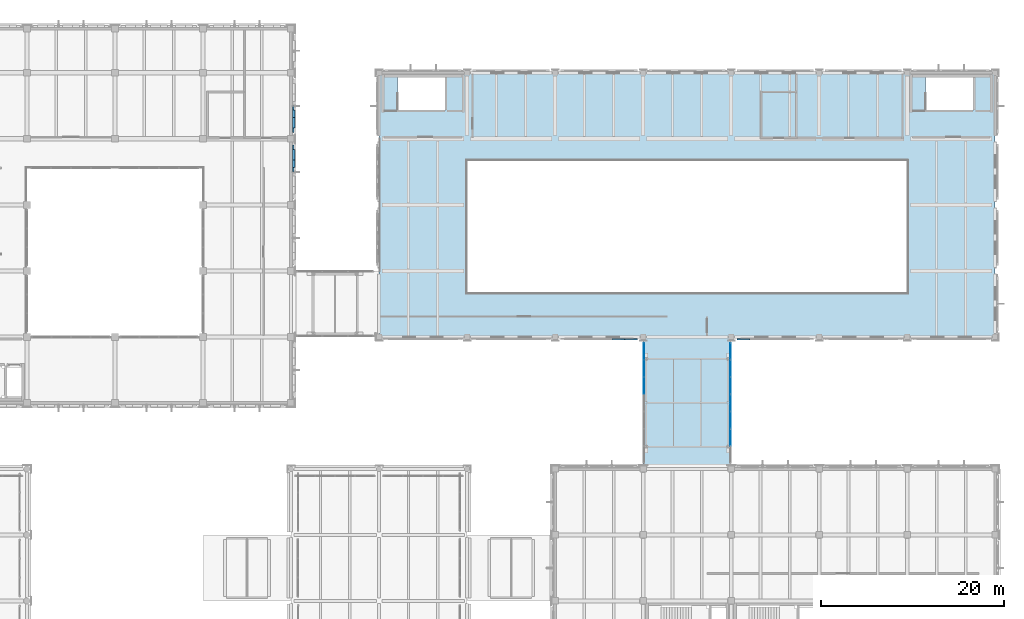
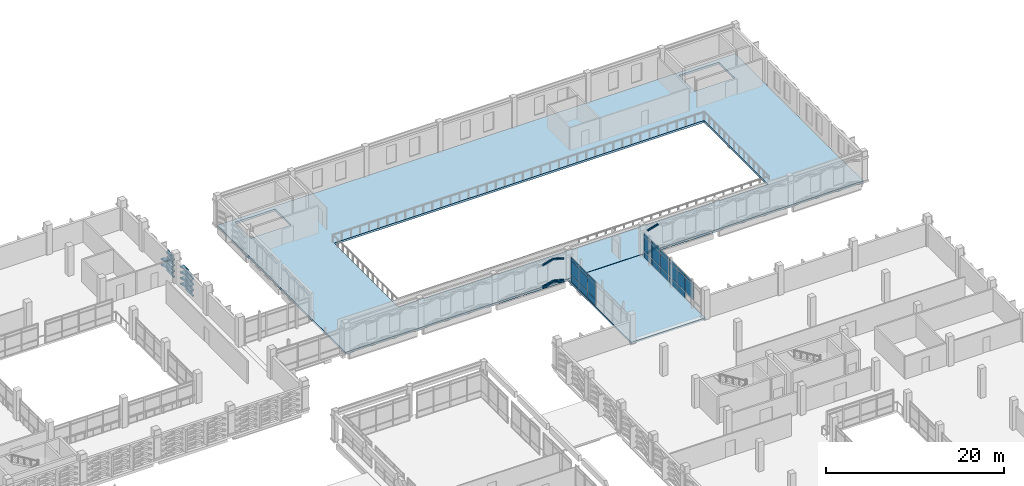
# One storey, part 141 of 180: 63 plates, 2 slabs, 2 elements without a shape of their own.
"""IFC4 building model written with IfcOpenShell, lengths in metres."""

from ifc_helpers import new_model, si_unit, direction, frame, origin, origin_2d, place, context, subcontext, project, spatial, polyline, rectangle, hollow_rectangle, outline, extrude, material, layer, layer_set, material_profile, profile_set, type_object, element, aggregate, save


model = new_model("IFC4")

# Units and contexts
model_context = context("Model", 3, precision=1e-05, world=origin(), true_north=direction((0.0, 1.0)))
body_context = subcontext(model_context, "Body", "Model", "MODEL_VIEW")
ifc_project = project(units=[si_unit("LENGTHUNIT", "METRE"), si_unit("AREAUNIT", "SQUARE_METRE"), si_unit("VOLUMEUNIT", "CUBIC_METRE"), si_unit("PLANEANGLEUNIT", "RADIAN"), si_unit("MASSUNIT", "GRAM", prefix="KILO")], contexts=[model_context])

# Site, building, storey
site_placement = place(None, origin())
site = spatial("IfcSite", under=ifc_project, at=site_placement, CompositionType="ELEMENT")
building_placement = place(site_placement, origin())
building = spatial("IfcBuilding", under=site, at=building_placement, Name="Asteropetra Specialist Clinic", CompositionType="ELEMENT")
storey_placement = place(building_placement, frame((0.0, 0.0, 4.419921875)))
storey = spatial("IfcBuildingStorey", under=building, at=storey_placement, Name="L01", CompositionType="ELEMENT", Elevation=4.419921875)

# Plates
ifc_material_1 = material(Name="Chevron emerald aluminium 6063-T6", Category="aluminium")
ifc_material_profile_1 = material_profile(ifc_material_1, hollow_rectangle(XDim=0.179931640625, YDim=0.179931640625, WallThickness=0.010009765625, InnerFilletRadius=0.008056640625, OuterFilletRadius=0.01611328125, at=origin_2d()), Name="SHS 180x180x10.0")
ifc_profile_set_1 = profile_set([ifc_material_profile_1], Name="Chevron emerald aluminium 6063-T6")
plate_type_1 = type_object("IfcPlateType", Name="CHV-RIB-180", PredefinedType="SHEET", material=ifc_profile_set_1)
plate_1_placement = place(storey_placement, frame((111.813232421875, 76.55810546875, 0.0400390625), z_axis=(0.952439871219, 0.0, 0.304726585175), x_axis=(0.0, 1.0, 0.0)))
element("IfcPlate", 1, at=plate_1_placement, inside=storey, type_object=plate_type_1, Name="Chevron Facade Screen Fin CVR-0091", PredefinedType="SHEET", context=body_context, shape_type="SweptSolid", body=[
    extrude(hollow_rectangle(XDim=0.179931640625, YDim=0.179931640625, WallThickness=0.010009765625, InnerFilletRadius=0.008056640625, OuterFilletRadius=0.01611328125, at=origin_2d()), origin(), (0.0, 0.0, 1.0), 1.442138671875),
])
plate_2_placement = place(storey_placement, frame((113.186767578125, 76.55810546875, 0.4794921875), z_axis=(0.952424147199, 0.0, -0.304775727104), x_axis=(0.0, 1.0, 0.0)))
element("IfcPlate", 2, at=plate_2_placement, inside=storey, type_object=plate_type_1, Name="Chevron Facade Screen Fin CVR-0092", PredefinedType="SHEET", context=body_context, shape_type="SweptSolid", body=[
    extrude(hollow_rectangle(XDim=0.179931640625, YDim=0.179931640625, WallThickness=0.010009765625, InnerFilletRadius=0.008056640625, OuterFilletRadius=0.01611328125, at=origin_2d()), origin(), (0.0, 0.0, 1.0), 1.44189453125),
])
plate_3_placement = place(storey_placement, frame((111.813232421875, 76.55810546875, 0.239990234375), z_axis=(0.972318233691, 0.0, 0.233660549582), x_axis=(0.0, 1.0, 0.0)))
element("IfcPlate", 3, at=plate_3_placement, inside=storey, type_object=plate_type_1, Name="Chevron Facade Screen Fin CVR-0093", PredefinedType="SHEET", context=body_context, shape_type="SweptSolid", body=[
    extrude(hollow_rectangle(XDim=0.179931640625, YDim=0.179931640625, WallThickness=0.010009765625, InnerFilletRadius=0.008056640625, OuterFilletRadius=0.01611328125, at=origin_2d()), origin(), (0.0, 0.0, 1.0), 1.41259765625),
])
plate_4_placement = place(storey_placement, frame((113.186767578125, 76.55810546875, 0.570068359375), z_axis=(0.972308795496, 0.0, -0.233699820713), x_axis=(0.0, 1.0, 0.0)))
element("IfcPlate", 4, at=plate_4_placement, inside=storey, type_object=plate_type_1, Name="Chevron Facade Screen Fin CVR-0094", PredefinedType="SHEET", context=body_context, shape_type="SweptSolid", body=[
    extrude(hollow_rectangle(XDim=0.179931640625, YDim=0.179931640625, WallThickness=0.010009765625, InnerFilletRadius=0.008056640625, OuterFilletRadius=0.01611328125, at=origin_2d()), origin(), (0.0, 0.0, 1.0), 1.412353515625),
])
plate_5_placement = place(storey_placement, frame((111.813232421875, 76.55810546875, 3.190185546875), z_axis=(0.961993565235, 0.0, 0.273072115834), x_axis=(0.0, 1.0, 0.0)))
element("IfcPlate", 5, at=plate_5_placement, inside=storey, type_object=plate_type_1, Name="Chevron Facade Screen Fin CVR-0095", PredefinedType="SHEET", context=body_context, shape_type="SweptSolid", body=[
    extrude(hollow_rectangle(XDim=0.179931640625, YDim=0.179931640625, WallThickness=0.010009765625, InnerFilletRadius=0.008056640625, OuterFilletRadius=0.01611328125, at=origin_2d()), origin(), (0.0, 0.0, 1.0), 1.427734375),
])
plate_6_placement = place(storey_placement, frame((113.186767578125, 76.55810546875, 3.580078125), z_axis=(0.96198081159, 0.0, -0.273117041086), x_axis=(0.0, 1.0, 0.0)))
element("IfcPlate", 6, at=plate_6_placement, inside=storey, type_object=plate_type_1, Name="Chevron Facade Screen Fin CVR-0096", PredefinedType="SHEET", context=body_context, shape_type="SweptSolid", body=[
    extrude(hollow_rectangle(XDim=0.179931640625, YDim=0.179931640625, WallThickness=0.010009765625, InnerFilletRadius=0.008056640625, OuterFilletRadius=0.01611328125, at=origin_2d()), origin(), (0.0, 0.0, 1.0), 1.427490234375),
])
plate_7_placement = place(storey_placement, frame((125.43994140625, 76.55810546875, 0.0400390625), z_axis=(0.952424147199, 0.0, 0.304775727104), x_axis=(0.0, 1.0, 0.0)))
element("IfcPlate", 7, at=plate_7_placement, inside=storey, type_object=plate_type_1, Name="Chevron Facade Screen Fin CVR-0133", PredefinedType="SHEET", context=body_context, shape_type="SweptSolid", body=[
    extrude(hollow_rectangle(XDim=0.179931640625, YDim=0.179931640625, WallThickness=0.010009765625, InnerFilletRadius=0.008056640625, OuterFilletRadius=0.01611328125, at=origin_2d()), origin(), (0.0, 0.0, 1.0), 1.44189453125),
])
plate_8_placement = place(storey_placement, frame((125.43994140625, 76.55810546875, 0.239990234375), z_axis=(0.972308795496, 0.0, 0.233699820713), x_axis=(0.0, 1.0, 0.0)))
element("IfcPlate", 8, at=plate_8_placement, inside=storey, type_object=plate_type_1, Name="Chevron Facade Screen Fin CVR-0135", PredefinedType="SHEET", context=body_context, shape_type="SweptSolid", body=[
    extrude(hollow_rectangle(XDim=0.179931640625, YDim=0.179931640625, WallThickness=0.010009765625, InnerFilletRadius=0.008056640625, OuterFilletRadius=0.01611328125, at=origin_2d()), origin(), (0.0, 0.0, 1.0), 1.412353515625),
])
plate_9_placement = place(storey_placement, frame((125.43994140625, 76.55810546875, 3.190185546875), z_axis=(0.96198081159, 0.0, 0.273117041086), x_axis=(0.0, 1.0, 0.0)))
element("IfcPlate", 9, at=plate_9_placement, inside=storey, type_object=plate_type_1, Name="Chevron Facade Screen Fin CVR-0137", PredefinedType="SHEET", context=body_context, shape_type="SweptSolid", body=[
    extrude(hollow_rectangle(XDim=0.179931640625, YDim=0.179931640625, WallThickness=0.010009765625, InnerFilletRadius=0.008056640625, OuterFilletRadius=0.01611328125, at=origin_2d()), origin(), (0.0, 0.0, 1.0), 1.427490234375),
])
ifc_material_2 = material(Name="Chevron emerald aluminium 6063-T6", Category="aluminium")
ifc_material_profile_2 = material_profile(ifc_material_2, hollow_rectangle(XDim=0.199951171875, YDim=0.199951171875, WallThickness=0.010009765625, InnerFilletRadius=0.008056640625, OuterFilletRadius=0.01611328125, at=origin_2d()), Name="SHS 200x200x10.0")
ifc_profile_set_2 = profile_set([ifc_material_profile_2], Name="Chevron emerald aluminium 6063-T6")
plate_type_2 = type_object("IfcPlateType", Name="CHV-RIB-200", PredefinedType="SHEET", material=ifc_profile_set_2)
plate_10_placement = place(storey_placement, frame((77.052001953125, 94.820068359375, 0.050048828125), z_axis=(0.0, 0.952491984317, 0.304563654777), x_axis=(-1.0, 0.0, 0.0)))
element("IfcPlate", 10, at=plate_10_placement, inside=storey, type_object=plate_type_2, Name="Chevron Facade Screen Fin CVR-0771", PredefinedType="SHEET", context=body_context, shape_type="SweptSolid", body=[
    extrude(hollow_rectangle(XDim=0.199951171875, YDim=0.199951171875, WallThickness=0.010009765625, InnerFilletRadius=0.008056640625, OuterFilletRadius=0.01611328125, at=origin_2d()), origin(), (0.0, 0.0, 1.0), 1.50390625),
])
plate_11_placement = place(storey_placement, frame((77.052001953125, 96.25244140625, 0.508056640625), z_axis=(0.0, 0.952507040007, -0.304516565619), x_axis=(-1.0, 0.0, 0.0)))
element("IfcPlate", 11, at=plate_11_placement, inside=storey, type_object=plate_type_2, Name="Chevron Facade Screen Fin CVR-0772", PredefinedType="SHEET", context=body_context, shape_type="SweptSolid", body=[
    extrude(hollow_rectangle(XDim=0.199951171875, YDim=0.199951171875, WallThickness=0.010009765625, InnerFilletRadius=0.008056640625, OuterFilletRadius=0.01611328125, at=origin_2d()), origin(), (0.0, 0.0, 1.0), 1.504150390625),
])
plate_12_placement = place(storey_placement, frame((77.052001953125, 94.820068359375, 0.820068359375), z_axis=(0.0, 0.952491984317, 0.304563654777), x_axis=(-1.0, 0.0, 0.0)))
element("IfcPlate", 12, at=plate_12_placement, inside=storey, type_object=plate_type_2, Name="Chevron Facade Screen Fin CVR-0773", PredefinedType="SHEET", context=body_context, shape_type="SweptSolid", body=[
    extrude(hollow_rectangle(XDim=0.199951171875, YDim=0.199951171875, WallThickness=0.010009765625, InnerFilletRadius=0.008056640625, OuterFilletRadius=0.01611328125, at=origin_2d()), origin(), (0.0, 0.0, 1.0), 1.50390625),
])
plate_13_placement = place(storey_placement, frame((77.052001953125, 96.25244140625, 1.278076171875), z_axis=(0.0, 0.952507040007, -0.304516565619), x_axis=(-1.0, 0.0, 0.0)))
element("IfcPlate", 13, at=plate_13_placement, inside=storey, type_object=plate_type_2, Name="Chevron Facade Screen Fin CVR-0774", PredefinedType="SHEET", context=body_context, shape_type="SweptSolid", body=[
    extrude(hollow_rectangle(XDim=0.199951171875, YDim=0.199951171875, WallThickness=0.010009765625, InnerFilletRadius=0.008056640625, OuterFilletRadius=0.01611328125, at=origin_2d()), origin(), (0.0, 0.0, 1.0), 1.504150390625),
])
plate_14_placement = place(storey_placement, frame((77.052001953125, 94.820068359375, 1.6201171875), z_axis=(0.0, 0.952491984317, 0.304563654777), x_axis=(-1.0, 0.0, 0.0)))
element("IfcPlate", 14, at=plate_14_placement, inside=storey, type_object=plate_type_2, Name="Chevron Facade Screen Fin CVR-0775", PredefinedType="SHEET", context=body_context, shape_type="SweptSolid", body=[
    extrude(hollow_rectangle(XDim=0.199951171875, YDim=0.199951171875, WallThickness=0.010009765625, InnerFilletRadius=0.008056640625, OuterFilletRadius=0.01611328125, at=origin_2d()), origin(), (0.0, 0.0, 1.0), 1.50390625),
])
plate_15_placement = place(storey_placement, frame((77.052001953125, 96.25244140625, 2.078125), z_axis=(0.0, 0.952507040007, -0.304516565619), x_axis=(-1.0, 0.0, 0.0)))
element("IfcPlate", 15, at=plate_15_placement, inside=storey, type_object=plate_type_2, Name="Chevron Facade Screen Fin CVR-0776", PredefinedType="SHEET", context=body_context, shape_type="SweptSolid", body=[
    extrude(hollow_rectangle(XDim=0.199951171875, YDim=0.199951171875, WallThickness=0.010009765625, InnerFilletRadius=0.008056640625, OuterFilletRadius=0.01611328125, at=origin_2d()), origin(), (0.0, 0.0, 1.0), 1.504150390625),
])
plate_16_placement = place(storey_placement, frame((77.052001953125, 94.820068359375, 2.400146484375), z_axis=(0.0, 0.952491984317, 0.304563654777), x_axis=(-1.0, 0.0, 0.0)))
element("IfcPlate", 16, at=plate_16_placement, inside=storey, type_object=plate_type_2, Name="Chevron Facade Screen Fin CVR-0777", PredefinedType="SHEET", context=body_context, shape_type="SweptSolid", body=[
    extrude(hollow_rectangle(XDim=0.199951171875, YDim=0.199951171875, WallThickness=0.010009765625, InnerFilletRadius=0.008056640625, OuterFilletRadius=0.01611328125, at=origin_2d()), origin(), (0.0, 0.0, 1.0), 1.50390625),
])
for number, where, z_axis, x_axis, name in (
    (17, (77.052001953125, 96.25244140625, 2.858154296875), (0.0, 0.952507040007, -0.304516565619), (-1.0, 0.0, 0.0), "Chevron Facade Screen Fin CVR-0778"),
    (18, (77.052001953125, 99.114990234375, 0.050048828125), (0.0, 0.952507040007, 0.304516565619), (-1.0, 0.0, 0.0), "Chevron Facade Screen Fin CVR-0795"),
):
    element("IfcPlate", number, at=place(storey_placement, frame(where, z_axis=z_axis, x_axis=x_axis)), inside=storey, type_object=plate_type_2, Name=name, PredefinedType="SHEET", context=body_context, shape_type="SweptSolid", body=[
        extrude(hollow_rectangle(XDim=0.199951171875, YDim=0.199951171875, WallThickness=0.010009765625, InnerFilletRadius=0.008056640625, OuterFilletRadius=0.01611328125, at=origin_2d()), origin(), (0.0, 0.0, 1.0), 1.504150390625),
    ])
plate_17_placement = place(storey_placement, frame((77.052001953125, 100.547607421875, 0.508056640625), z_axis=(0.0, 0.952491984317, -0.304563654777), x_axis=(-1.0, 0.0, 0.0)))
element("IfcPlate", 19, at=plate_17_placement, inside=storey, type_object=plate_type_2, Name="Chevron Facade Screen Fin CVR-0796", PredefinedType="SHEET", context=body_context, shape_type="SweptSolid", body=[
    extrude(hollow_rectangle(XDim=0.199951171875, YDim=0.199951171875, WallThickness=0.010009765625, InnerFilletRadius=0.008056640625, OuterFilletRadius=0.01611328125, at=origin_2d()), origin(), (0.0, 0.0, 1.0), 1.50390625),
])
plate_18_placement = place(storey_placement, frame((77.052001953125, 99.114990234375, 0.820068359375), z_axis=(0.0, 0.952507040007, 0.304516565619), x_axis=(-1.0, 0.0, 0.0)))
element("IfcPlate", 20, at=plate_18_placement, inside=storey, type_object=plate_type_2, Name="Chevron Facade Screen Fin CVR-0797", PredefinedType="SHEET", context=body_context, shape_type="SweptSolid", body=[
    extrude(hollow_rectangle(XDim=0.199951171875, YDim=0.199951171875, WallThickness=0.010009765625, InnerFilletRadius=0.008056640625, OuterFilletRadius=0.01611328125, at=origin_2d()), origin(), (0.0, 0.0, 1.0), 1.504150390625),
])
plate_19_placement = place(storey_placement, frame((77.052001953125, 100.547607421875, 1.278076171875), z_axis=(0.0, 0.952491984317, -0.304563654777), x_axis=(-1.0, 0.0, 0.0)))
element("IfcPlate", 21, at=plate_19_placement, inside=storey, type_object=plate_type_2, Name="Chevron Facade Screen Fin CVR-0798", PredefinedType="SHEET", context=body_context, shape_type="SweptSolid", body=[
    extrude(hollow_rectangle(XDim=0.199951171875, YDim=0.199951171875, WallThickness=0.010009765625, InnerFilletRadius=0.008056640625, OuterFilletRadius=0.01611328125, at=origin_2d()), origin(), (0.0, 0.0, 1.0), 1.50390625),
])
for number, where, z_axis, x_axis, name in (
    (22, (77.052001953125, 99.114990234375, 1.6201171875), (0.0, 0.952507040007, 0.304516565619), (-1.0, 0.0, 0.0), "Chevron Facade Screen Fin CVR-0799"),
    (23, (77.052001953125, 99.114990234375, 2.400146484375), (0.0, 0.952507040007, 0.304516565619), (-1.0, 0.0, 0.0), "Chevron Facade Screen Fin CVR-0801"),
):
    element("IfcPlate", number, at=place(storey_placement, frame(where, z_axis=z_axis, x_axis=x_axis)), inside=storey, type_object=plate_type_2, Name=name, PredefinedType="SHEET", context=body_context, shape_type="SweptSolid", body=[
        extrude(hollow_rectangle(XDim=0.199951171875, YDim=0.199951171875, WallThickness=0.010009765625, InnerFilletRadius=0.008056640625, OuterFilletRadius=0.01611328125, at=origin_2d()), origin(), (0.0, 0.0, 1.0), 1.504150390625),
    ])

# Curtain wall, plates
ifc_material_3 = material(Name="Aluminium and low-E glass", Category="aluminium")
ifc_layer_1 = layer(ifc_material_3, 0.179931640625)
ifc_layer_set_1 = layer_set([ifc_layer_1], Name="Aluminium and low-E glass")
curtain_wall_type_1 = type_object("IfcCurtainWallType", Name="CW-SYS-01", PredefinedType="USERDEFINED", material=ifc_layer_set_1)
curtain_wall_1_placement = place(storey_placement, origin())
curtain_wall_1 = element("IfcCurtainWall", 24, at=curtain_wall_1_placement, inside=storey, type_object=curtain_wall_type_1, Name="Curtain Wall CW-120", ObjectType="UNITISED CURTAIN WALL", PredefinedType="USERDEFINED")
ifc_material_4 = material(Name="Low-E double glazing", Category="glass")
ifc_layer_2 = layer(ifc_material_4, 0.028076171875)
ifc_layer_set_2 = layer_set([ifc_layer_2], Name="Low-E double glazing")
plate_type_3 = type_object("IfcPlateType", Name="CWP-GLZ-28", PredefinedType="CURTAIN_PANEL", material=ifc_layer_set_2)
plate_20_placement = place(storey_placement, frame((124.719970703125, 75.229736328125, 0.074951171875), z_axis=(0.0, 0.0, 1.0), x_axis=(0.0, -1.0, 0.0)))
plate_20 = element("IfcPlate", 25, at=plate_20_placement, type_object=plate_type_3, Name="CW-120 panel 1.1", PredefinedType="CURTAIN_PANEL", context=body_context, shape_type="SweptSolid", body=[
    extrude(rectangle(XDim=1.770263671875, YDim=0.028076171875, at=origin_2d()), origin(), (0.0, 0.0, 1.0), 0.78759765625),
])
plate_21_placement = place(storey_placement, frame((124.719970703125, 75.229736328125, 0.9375), z_axis=(0.0, 0.0, 1.0), x_axis=(0.0, -1.0, 0.0)))
plate_21 = element("IfcPlate", 26, at=plate_21_placement, type_object=plate_type_3, Name="CW-120 panel 1.2", PredefinedType="CURTAIN_PANEL", context=body_context, shape_type="SweptSolid", body=[
    extrude(rectangle(XDim=1.770263671875, YDim=0.028076171875, at=origin_2d()), origin(), (0.0, 0.0, 1.0), 1.955078125),
])
plate_22_placement = place(storey_placement, frame((124.719970703125, 75.229736328125, 2.9677734375), z_axis=(0.0, 0.0, 1.0), x_axis=(0.0, -1.0, 0.0)))
plate_22 = element("IfcPlate", 27, at=plate_22_placement, type_object=plate_type_3, Name="CW-120 panel 1.3", PredefinedType="CURTAIN_PANEL", context=body_context, shape_type="SweptSolid", body=[
    extrude(rectangle(XDim=1.770263671875, YDim=0.028076171875, at=origin_2d()), origin(), (0.0, 0.0, 1.0), 0.387451171875),
])
plate_23_placement = place(storey_placement, frame((124.719970703125, 73.36572265625, 0.074951171875), z_axis=(0.0, 0.0, 1.0), x_axis=(0.0, -1.0, 0.0)))
plate_23 = element("IfcPlate", 28, at=plate_23_placement, type_object=plate_type_3, Name="CW-120 panel 2.1", PredefinedType="CURTAIN_PANEL", context=body_context, shape_type="SweptSolid", body=[
    extrude(rectangle(XDim=1.807861328125, YDim=0.028076171875, at=origin_2d()), origin(), (0.0, 0.0, 1.0), 0.78759765625),
])
plate_24_placement = place(storey_placement, frame((124.719970703125, 73.36572265625, 0.9375), z_axis=(0.0, 0.0, 1.0), x_axis=(0.0, -1.0, 0.0)))
plate_24 = element("IfcPlate", 29, at=plate_24_placement, type_object=plate_type_3, Name="CW-120 panel 2.2", PredefinedType="CURTAIN_PANEL", context=body_context, shape_type="SweptSolid", body=[
    extrude(rectangle(XDim=1.807861328125, YDim=0.028076171875, at=origin_2d()), origin(), (0.0, 0.0, 1.0), 1.955078125),
])
plate_25_placement = place(storey_placement, frame((124.719970703125, 73.36572265625, 2.9677734375), z_axis=(0.0, 0.0, 1.0), x_axis=(0.0, -1.0, 0.0)))
plate_25 = element("IfcPlate", 30, at=plate_25_placement, type_object=plate_type_3, Name="CW-120 panel 2.3", PredefinedType="CURTAIN_PANEL", context=body_context, shape_type="SweptSolid", body=[
    extrude(rectangle(XDim=1.807861328125, YDim=0.028076171875, at=origin_2d()), origin(), (0.0, 0.0, 1.0), 0.387451171875),
])
plate_26_placement = place(storey_placement, frame((124.719970703125, 71.48291015625, 0.074951171875), z_axis=(0.0, 0.0, 1.0), x_axis=(0.0, -1.0, 0.0)))
plate_26 = element("IfcPlate", 31, at=plate_26_placement, type_object=plate_type_3, Name="CW-120 panel 3.1", PredefinedType="CURTAIN_PANEL", context=body_context, shape_type="SweptSolid", body=[
    extrude(rectangle(XDim=1.807861328125, YDim=0.028076171875, at=origin_2d()), origin(), (0.0, 0.0, 1.0), 0.78759765625),
])
plate_27_placement = place(storey_placement, frame((124.719970703125, 71.48291015625, 0.9375), z_axis=(0.0, 0.0, 1.0), x_axis=(0.0, -1.0, 0.0)))
plate_27 = element("IfcPlate", 32, at=plate_27_placement, type_object=plate_type_3, Name="CW-120 panel 3.2", PredefinedType="CURTAIN_PANEL", context=body_context, shape_type="SweptSolid", body=[
    extrude(rectangle(XDim=1.807861328125, YDim=0.028076171875, at=origin_2d()), origin(), (0.0, 0.0, 1.0), 1.955078125),
])
plate_28_placement = place(storey_placement, frame((124.719970703125, 71.48291015625, 2.9677734375), z_axis=(0.0, 0.0, 1.0), x_axis=(0.0, -1.0, 0.0)))
plate_28 = element("IfcPlate", 33, at=plate_28_placement, type_object=plate_type_3, Name="CW-120 panel 3.3", PredefinedType="CURTAIN_PANEL", context=body_context, shape_type="SweptSolid", body=[
    extrude(rectangle(XDim=1.807861328125, YDim=0.028076171875, at=origin_2d()), origin(), (0.0, 0.0, 1.0), 0.387451171875),
])
plate_29_placement = place(storey_placement, frame((124.719970703125, 69.60009765625, 0.074951171875), z_axis=(0.0, 0.0, 1.0), x_axis=(0.0, -1.0, 0.0)))
plate_29 = element("IfcPlate", 34, at=plate_29_placement, type_object=plate_type_3, Name="CW-120 panel 4.1", PredefinedType="CURTAIN_PANEL", context=body_context, shape_type="SweptSolid", body=[
    extrude(rectangle(XDim=1.807861328125, YDim=0.028076171875, at=origin_2d()), origin(), (0.0, 0.0, 1.0), 0.78759765625),
])
plate_30_placement = place(storey_placement, frame((124.719970703125, 69.60009765625, 0.9375), z_axis=(0.0, 0.0, 1.0), x_axis=(0.0, -1.0, 0.0)))
plate_30 = element("IfcPlate", 35, at=plate_30_placement, type_object=plate_type_3, Name="CW-120 panel 4.2", PredefinedType="CURTAIN_PANEL", context=body_context, shape_type="SweptSolid", body=[
    extrude(rectangle(XDim=1.807861328125, YDim=0.028076171875, at=origin_2d()), origin(), (0.0, 0.0, 1.0), 1.955078125),
])
plate_31_placement = place(storey_placement, frame((124.719970703125, 69.60009765625, 2.9677734375), z_axis=(0.0, 0.0, 1.0), x_axis=(0.0, -1.0, 0.0)))
plate_31 = element("IfcPlate", 36, at=plate_31_placement, type_object=plate_type_3, Name="CW-120 panel 4.3", PredefinedType="CURTAIN_PANEL", context=body_context, shape_type="SweptSolid", body=[
    extrude(rectangle(XDim=1.807861328125, YDim=0.028076171875, at=origin_2d()), origin(), (0.0, 0.0, 1.0), 0.387451171875),
])
plate_32_placement = place(storey_placement, frame((124.719970703125, 67.717041015625, 0.074951171875), z_axis=(0.0, 0.0, 1.0), x_axis=(0.0, -1.0, 0.0)))
plate_32 = element("IfcPlate", 37, at=plate_32_placement, type_object=plate_type_3, Name="CW-120 panel 5.1", PredefinedType="CURTAIN_PANEL", context=body_context, shape_type="SweptSolid", body=[
    extrude(rectangle(XDim=1.807861328125, YDim=0.028076171875, at=origin_2d()), origin(), (0.0, 0.0, 1.0), 0.78759765625),
])
plate_33_placement = place(storey_placement, frame((124.719970703125, 67.717041015625, 0.9375), z_axis=(0.0, 0.0, 1.0), x_axis=(0.0, -1.0, 0.0)))
plate_33 = element("IfcPlate", 38, at=plate_33_placement, type_object=plate_type_3, Name="CW-120 panel 5.2", PredefinedType="CURTAIN_PANEL", context=body_context, shape_type="SweptSolid", body=[
    extrude(rectangle(XDim=1.807861328125, YDim=0.028076171875, at=origin_2d()), origin(), (0.0, 0.0, 1.0), 1.955078125),
])
plate_34_placement = place(storey_placement, frame((124.719970703125, 67.717041015625, 2.9677734375), z_axis=(0.0, 0.0, 1.0), x_axis=(0.0, -1.0, 0.0)))
plate_34 = element("IfcPlate", 39, at=plate_34_placement, type_object=plate_type_3, Name="CW-120 panel 5.3", PredefinedType="CURTAIN_PANEL", context=body_context, shape_type="SweptSolid", body=[
    extrude(rectangle(XDim=1.807861328125, YDim=0.028076171875, at=origin_2d()), origin(), (0.0, 0.0, 1.0), 0.387451171875),
])
plate_35_placement = place(storey_placement, frame((124.719970703125, 65.834228515625, 0.9375), z_axis=(0.0, 0.0, 1.0), x_axis=(0.0, -1.0, 0.0)))
plate_35 = element("IfcPlate", 40, at=plate_35_placement, type_object=plate_type_3, Name="CW-120 panel 6.2", PredefinedType="CURTAIN_PANEL", context=body_context, shape_type="SweptSolid", body=[
    extrude(rectangle(XDim=1.807861328125, YDim=0.028076171875, at=origin_2d()), origin(), (0.0, 0.0, 1.0), 1.955078125),
])
plate_36_placement = place(storey_placement, frame((124.719970703125, 65.834228515625, 2.9677734375), z_axis=(0.0, 0.0, 1.0), x_axis=(0.0, -1.0, 0.0)))
plate_36 = element("IfcPlate", 41, at=plate_36_placement, type_object=plate_type_3, Name="CW-120 panel 6.3", PredefinedType="CURTAIN_PANEL", context=body_context, shape_type="SweptSolid", body=[
    extrude(rectangle(XDim=1.807861328125, YDim=0.028076171875, at=origin_2d()), origin(), (0.0, 0.0, 1.0), 0.387451171875),
])
aggregate(curtain_wall_1, [plate_20, plate_21, plate_22, plate_23, plate_24, plate_25, plate_26, plate_27, plate_28, plate_29, plate_30, plate_31, plate_32, plate_33, plate_34, plate_35, plate_36])

ifc_material_5 = material(Name="Aluminium and low-E glass", Category="aluminium")
ifc_layer_3 = layer(ifc_material_5, 0.135009765625)
ifc_layer_set_3 = layer_set([ifc_layer_3], Name="Aluminium and low-E glass")
curtain_wall_type_2 = type_object("IfcCurtainWallType", Name="CW-SYS-12", PredefinedType="USERDEFINED", material=ifc_layer_set_3)
curtain_wall_2_placement = place(storey_placement, origin())
curtain_wall_2 = element("IfcCurtainWall", 42, at=curtain_wall_2_placement, inside=storey, type_object=curtain_wall_type_2, Name="Curtain Wall CW-119", ObjectType="STICK GLAZED COLONNADE", PredefinedType="USERDEFINED")
ifc_material_6 = material(Name="Laminated skylight glazing", Category="glass")
ifc_layer_4 = layer(ifc_material_6, 0.0400390625)
ifc_layer_set_4 = layer_set([ifc_layer_4], Name="Laminated skylight glazing")
plate_type_4 = type_object("IfcPlateType", Name="CWP-GLZ-40", PredefinedType="CURTAIN_PANEL", material=ifc_layer_set_4)
plate_37_placement = place(storey_placement, frame((115.280029296875, 71.48291015625, 0.06005859375), z_axis=(0.0, 0.0, 1.0), x_axis=(0.0, 1.0, 0.0)))
plate_37 = element("IfcPlate", 43, at=plate_37_placement, type_object=plate_type_4, Name="CW-119 panel 5.1", PredefinedType="CURTAIN_PANEL", context=body_context, shape_type="SweptSolid", body=[
    extrude(rectangle(XDim=1.82275390625, YDim=0.0400390625, at=origin_2d()), origin(), (0.0, 0.0, 1.0), 0.81005859375),
])
plate_38_placement = place(storey_placement, frame((115.280029296875, 71.48291015625, 0.93017578125), z_axis=(0.0, 0.0, 1.0), x_axis=(0.0, 1.0, 0.0)))
plate_38 = element("IfcPlate", 44, at=plate_38_placement, type_object=plate_type_4, Name="CW-119 panel 5.2", PredefinedType="CURTAIN_PANEL", context=body_context, shape_type="SweptSolid", body=[
    extrude(rectangle(XDim=1.82275390625, YDim=0.0400390625, at=origin_2d()), origin(), (0.0, 0.0, 1.0), 1.969970703125),
])
plate_39_placement = place(storey_placement, frame((115.280029296875, 71.48291015625, 2.9599609375), z_axis=(0.0, 0.0, 1.0), x_axis=(0.0, 1.0, 0.0)))
plate_39 = element("IfcPlate", 45, at=plate_39_placement, type_object=plate_type_4, Name="CW-119 panel 5.3", PredefinedType="CURTAIN_PANEL", context=body_context, shape_type="SweptSolid", body=[
    extrude(rectangle(XDim=1.82275390625, YDim=0.0400390625, at=origin_2d()), origin(), (0.0, 0.0, 1.0), 0.409912109375),
])
plate_40_placement = place(storey_placement, frame((115.280029296875, 73.36572265625, 0.06005859375), z_axis=(0.0, 0.0, 1.0), x_axis=(0.0, 1.0, 0.0)))
plate_40 = element("IfcPlate", 46, at=plate_40_placement, type_object=plate_type_4, Name="CW-119 panel 6.1", PredefinedType="CURTAIN_PANEL", context=body_context, shape_type="SweptSolid", body=[
    extrude(rectangle(XDim=1.82275390625, YDim=0.0400390625, at=origin_2d()), origin(), (0.0, 0.0, 1.0), 0.81005859375),
])
plate_41_placement = place(storey_placement, frame((115.280029296875, 73.36572265625, 0.93017578125), z_axis=(0.0, 0.0, 1.0), x_axis=(0.0, 1.0, 0.0)))
plate_41 = element("IfcPlate", 47, at=plate_41_placement, type_object=plate_type_4, Name="CW-119 panel 6.2", PredefinedType="CURTAIN_PANEL", context=body_context, shape_type="SweptSolid", body=[
    extrude(rectangle(XDim=1.82275390625, YDim=0.0400390625, at=origin_2d()), origin(), (0.0, 0.0, 1.0), 1.969970703125),
])
plate_42_placement = place(storey_placement, frame((115.280029296875, 73.36572265625, 2.9599609375), z_axis=(0.0, 0.0, 1.0), x_axis=(0.0, 1.0, 0.0)))
plate_42 = element("IfcPlate", 48, at=plate_42_placement, type_object=plate_type_4, Name="CW-119 panel 6.3", PredefinedType="CURTAIN_PANEL", context=body_context, shape_type="SweptSolid", body=[
    extrude(rectangle(XDim=1.82275390625, YDim=0.0400390625, at=origin_2d()), origin(), (0.0, 0.0, 1.0), 0.409912109375),
])
plate_43_placement = place(storey_placement, frame((115.280029296875, 75.233642578125, 0.06005859375), z_axis=(0.0, 0.0, 1.0), x_axis=(0.0, 1.0, 0.0)))
plate_43 = element("IfcPlate", 49, at=plate_43_placement, type_object=plate_type_4, Name="CW-119 panel 7.1", PredefinedType="CURTAIN_PANEL", context=body_context, shape_type="SweptSolid", body=[
    extrude(rectangle(XDim=1.79296875, YDim=0.0400390625, at=origin_2d()), origin(), (0.0, 0.0, 1.0), 0.81005859375),
])
plate_44_placement = place(storey_placement, frame((115.280029296875, 75.233642578125, 0.93017578125), z_axis=(0.0, 0.0, 1.0), x_axis=(0.0, 1.0, 0.0)))
plate_44 = element("IfcPlate", 50, at=plate_44_placement, type_object=plate_type_4, Name="CW-119 panel 7.2", PredefinedType="CURTAIN_PANEL", context=body_context, shape_type="SweptSolid", body=[
    extrude(rectangle(XDim=1.79296875, YDim=0.0400390625, at=origin_2d()), origin(), (0.0, 0.0, 1.0), 1.969970703125),
])
plate_45_placement = place(storey_placement, frame((115.280029296875, 75.233642578125, 2.9599609375), z_axis=(0.0, 0.0, 1.0), x_axis=(0.0, 1.0, 0.0)))
plate_45 = element("IfcPlate", 51, at=plate_45_placement, type_object=plate_type_4, Name="CW-119 panel 7.3", PredefinedType="CURTAIN_PANEL", context=body_context, shape_type="SweptSolid", body=[
    extrude(rectangle(XDim=1.79296875, YDim=0.0400390625, at=origin_2d()), origin(), (0.0, 0.0, 1.0), 0.409912109375),
])
aggregate(curtain_wall_2, [plate_37, plate_38, plate_39, plate_40, plate_41, plate_42, plate_43, plate_44, plate_45])

# Plates
ifc_material_7 = material(Name="Aluminium 6063-T6", Category="aluminium")
ifc_layer_5 = layer(ifc_material_7, 0.139892578125)
ifc_layer_set_5 = layer_set([ifc_layer_5], Name="Aluminium 6063-T6")
plate_type_5 = type_object("IfcPlateType", Name="PLT-CHV-TILE", PredefinedType="SHEET", material=ifc_layer_set_5)
for number, where, z_axis, x_axis, name in (
    (52, (77.090087890625, 95.851318359375, 0.03759765625), (0.0, 0.0, 1.0), (1.0, 0.0, 0.0), "Chevron Ceramic Panel CPT-0409"),
    (53, (77.090087890625, 96.653564453125, 0.21142578125), (0.0, 0.0, 1.0), (1.0, 0.0, 0.0), "Chevron Ceramic Panel CPT-0410"),
    (54, (77.090087890625, 95.851318359375, 0.8076171875), (0.0, 0.0, 1.0), (1.0, 0.0, 0.0), "Chevron Ceramic Panel CPT-0411"),
    (55, (77.090087890625, 96.653564453125, 0.9814453125), (0.0, 0.0, 1.0), (1.0, 0.0, 0.0), "Chevron Ceramic Panel CPT-0412"),
    (56, (77.090087890625, 95.851318359375, 1.607421875), (0.0, 0.0, 1.0), (1.0, 0.0, 0.0), "Chevron Ceramic Panel CPT-0413"),
    (57, (77.090087890625, 96.653564453125, 1.78125), (0.0, 0.0, 1.0), (1.0, 0.0, 0.0), "Chevron Ceramic Panel CPT-0414"),
    (58, (77.090087890625, 95.851318359375, 2.3876953125), (0.0, 0.0, 1.0), (1.0, 0.0, 0.0), "Chevron Ceramic Panel CPT-0415"),
    (59, (77.090087890625, 96.653564453125, 2.5615234375), (0.0, 0.0, 1.0), (1.0, 0.0, 0.0), "Chevron Ceramic Panel CPT-0416"),
    (60, (77.090087890625, 100.146484375, 0.03759765625), (0.0, 0.0, 1.0), (1.0, 0.0, 0.0), "Chevron Ceramic Panel CPT-0433"),
    (61, (77.090087890625, 100.948486328125, 0.21142578125), (0.0, 0.0, 1.0), (1.0, 0.0, 0.0), "Chevron Ceramic Panel CPT-0434"),
    (62, (77.090087890625, 100.146484375, 0.8076171875), (0.0, 0.0, 1.0), (1.0, 0.0, 0.0), "Chevron Ceramic Panel CPT-0435"),
    (63, (77.090087890625, 100.948486328125, 0.9814453125), (0.0, 0.0, 1.0), (1.0, 0.0, 0.0), "Chevron Ceramic Panel CPT-0436"),
    (64, (77.090087890625, 100.146484375, 1.607421875), (0.0, 0.0, 1.0), (1.0, 0.0, 0.0), "Chevron Ceramic Panel CPT-0437"),
    (65, (77.090087890625, 100.146484375, 2.3876953125), (0.0, 0.0, 1.0), (1.0, 0.0, 0.0), "Chevron Ceramic Panel CPT-0439"),
):
    element("IfcPlate", number, at=place(storey_placement, frame(where, z_axis=z_axis, x_axis=x_axis)), inside=storey, type_object=plate_type_5, Name=name, PredefinedType="SHEET", context=body_context, shape_type="SweptSolid", body=[
        extrude(rectangle(XDim=0.280029296875, YDim=1.14599609375, at=origin_2d()), origin(), (0.0, 0.0, 1.0), 0.300048828125),
    ])

# Slabs
ifc_material_8 = material(Name="Concrete C35/45", Category="concrete")
ifc_layer_6 = layer(ifc_material_8, 0.239990234375)
ifc_layer_set_6 = layer_set([ifc_layer_6], Name="Concrete C35/45")
slab_type_1 = type_object("IfcSlabType", Name="SLB-FLR-240", PredefinedType="FLOOR", material=ifc_layer_set_6)
slab_1_placement = place(storey_placement, frame((0.0, 0.0, -0.239990234375)))
element("IfcSlab", 66, at=slab_1_placement, inside=storey, type_object=slab_type_1, Name="Slab LP5 L01", PredefinedType="FLOOR", context=body_context, shape_type="SweptSolid", body=[
    extrude(outline(polyline([(115.199951171875, 62.43994140625), (124.800048828125, 62.43994140625), (124.800048828125, 76.760009765625), (115.199951171875, 76.760009765625), (115.199951171875, 62.43994140625)])), origin(), (0.0, 0.0, 1.0), 0.239990234375),
])
ifc_material_9 = material(Name="Concrete C35/45", Category="concrete")
ifc_layer_7 = layer(ifc_material_9, 0.280029296875)
ifc_layer_set_7 = layer_set([ifc_layer_7], Name="Concrete C35/45")
slab_type_2 = type_object("IfcSlabType", Name="SLB-FLR-280", PredefinedType="FLOOR", material=ifc_layer_set_7)
slab_2_placement = place(storey_placement, frame((0.0, 0.0, -0.280029296875)))
element("IfcSlab", 67, at=slab_2_placement, inside=storey, type_object=slab_type_2, Name="Slab V1 L01", PredefinedType="FLOOR", context=body_context, shape_type="SweptSolid", body=[
    extrude(outline(polyline([(86.39990234375, 76.800048828125), (153.60009765625, 76.800048828125), (153.60009765625, 105.60009765625), (86.39990234375, 105.60009765625), (86.39990234375, 76.800048828125)]), holes=[polyline([(96.0, 81.60009765625), (144.0, 81.60009765625), (144.0, 96.0), (96.0, 96.0), (96.0, 81.60009765625)]), polyline([(88.39990234375, 101.5), (93.580078125, 101.5), (93.580078125, 105.080078125), (88.39990234375, 105.080078125), (88.39990234375, 101.5)]), polyline([(146.0, 101.5), (151.179931640625, 101.5), (151.179931640625, 105.080078125), (146.0, 105.080078125), (146.0, 101.5)])]), origin(), (0.0, 0.0, 1.0), 0.280029296875),
])

save(model, "model.ifc")
